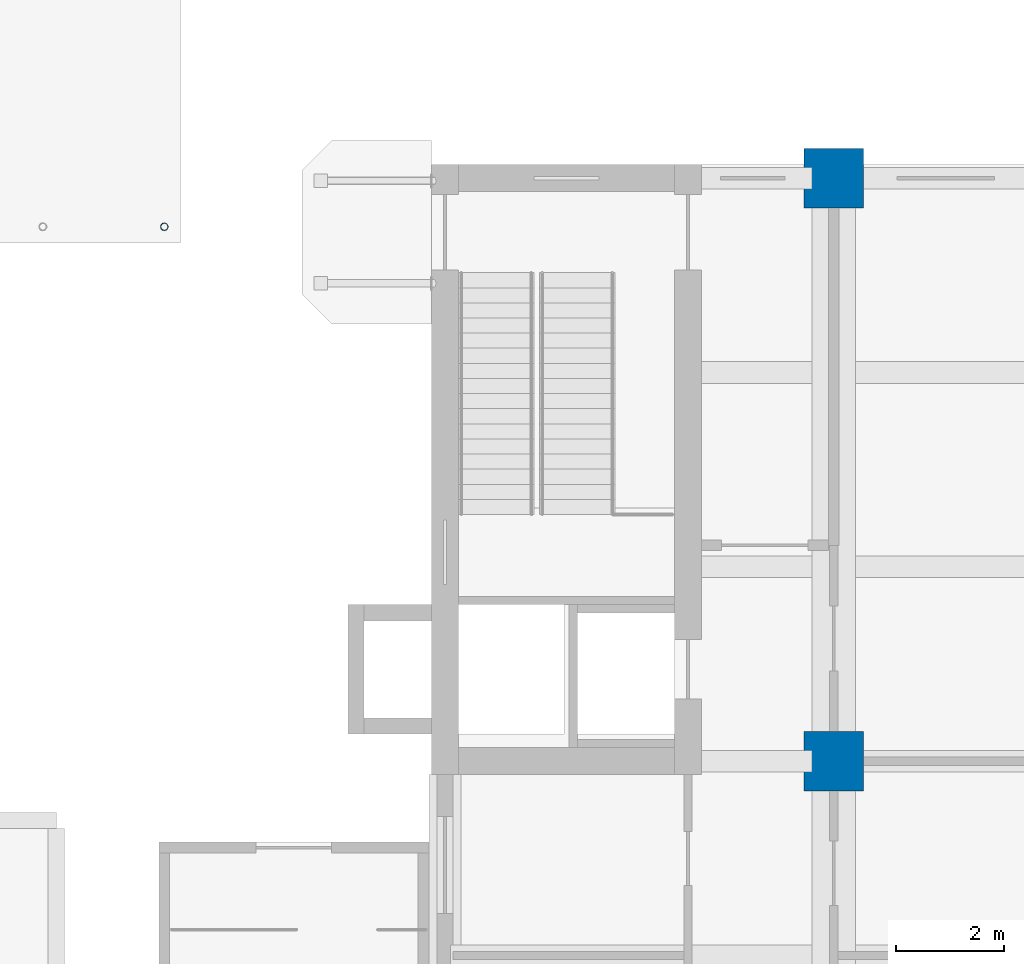
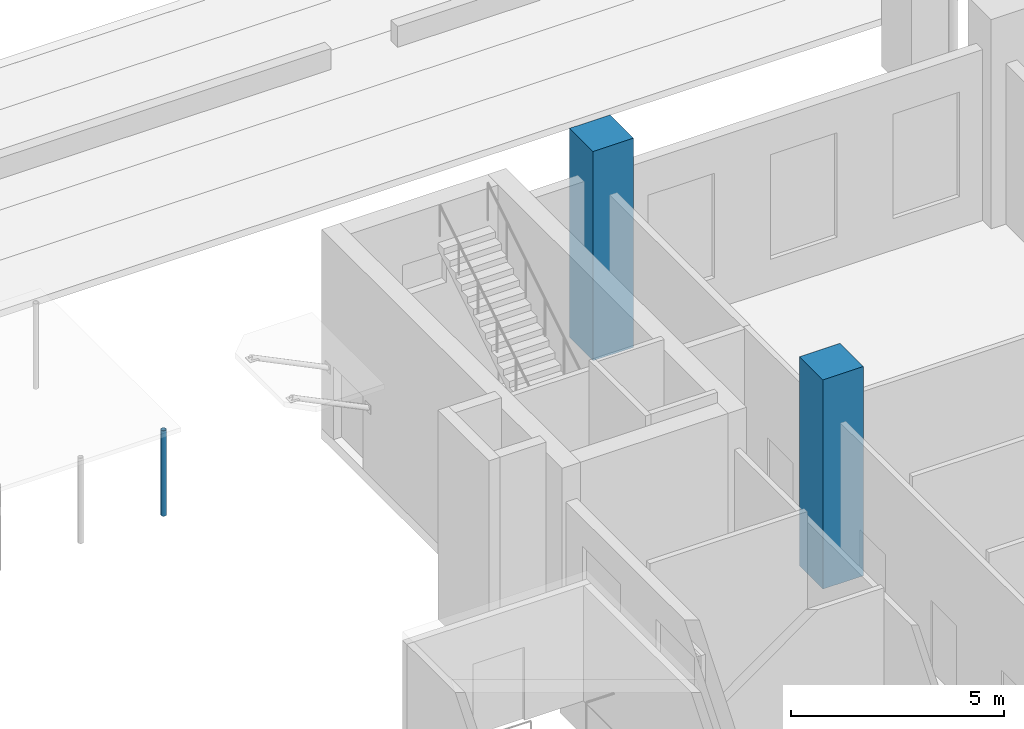
# One storey, part 10 of 71: 3 columns.
"""IFC4 building model written with IfcOpenShell, lengths in metres."""

from ifc_helpers import new_model, si_unit, direction, frame, origin, origin_2d, place, context, subcontext, project, spatial, rectangle, hollow_circle, extrude, material, material_profile, profile_set, type_object, element, save


model = new_model("IFC4")

# Units and contexts
model_context = context("Model", 3, precision=1e-05, world=origin(), true_north=direction((0.0, 1.0)))
body_context = subcontext(model_context, "Body", "Model", "MODEL_VIEW")
ifc_project = project(units=[si_unit("LENGTHUNIT", "METRE"), si_unit("AREAUNIT", "SQUARE_METRE"), si_unit("VOLUMEUNIT", "CUBIC_METRE"), si_unit("PLANEANGLEUNIT", "RADIAN"), si_unit("MASSUNIT", "GRAM", prefix="KILO")], contexts=[model_context])

# Site, building, storey
site_placement = place(None, origin())
site = spatial("IfcSite", under=ifc_project, at=site_placement, CompositionType="ELEMENT")
building_placement = place(site_placement, origin())
building = spatial("IfcBuilding", under=site, at=building_placement, Name="Basin Gate Institute", CompositionType="ELEMENT")
storey_placement = place(building_placement, origin())
storey = spatial("IfcBuildingStorey", under=building, at=storey_placement, Name="L00", CompositionType="ELEMENT", Elevation=0.0)

# Columns
ifc_material_1 = material(Name="Concrete 60 MPa", Category="concrete")
ifc_material_profile_1 = material_profile(ifc_material_1, rectangle(XDim=1.10009765625, YDim=1.10009765625, at=origin_2d()), Name="Column C1 1100 x 1100")
ifc_profile_set_1 = profile_set([ifc_material_profile_1], Name="Concrete 60 MPa")
column_type_1 = type_object("IfcColumnType", Name="Column C1 R180", PredefinedType="COLUMN", material=ifc_profile_set_1)
for number, where, z_axis, x_axis, name in (
    (1, (68.39990234375, 89.10009765625, 0.0), (0.0, 0.0, 1.0), (1.0, 0.0, 0.0), "COL/L00/5F"),
    (2, (68.39990234375, 99.89990234375, 0.0), (0.0, 0.0, 1.0), (1.0, 0.0, 0.0), "COL/L00/5G"),
):
    element("IfcColumn", number, at=place(storey_placement, frame(where, z_axis=z_axis, x_axis=x_axis)), inside=storey, type_object=column_type_1, material=ifc_profile_set_1, Name=name, PredefinedType="COLUMN", context=body_context, shape_type="SweptSolid", body=[
        extrude(rectangle(XDim=1.10009765625, YDim=1.10009765625, at=origin_2d()), origin(), (0.0, 0.0, 1.0), 6.0),
    ])
ifc_material_2 = material(Name="Structural steel SN490", Category="steel")
ifc_material_profile_2 = material_profile(ifc_material_2, hollow_circle(Radius=0.06982421875, WallThickness=0.006103515625, at=origin_2d()), Name="CHS139x6")
ifc_profile_set_2 = profile_set([ifc_material_profile_2], Name="Structural steel SN490")
column_type_2 = type_object("IfcColumnType", Name="Court steel TD4 Column column", PredefinedType="COLUMN", material=ifc_profile_set_2)
column_placement = place(storey_placement, frame((56.0, 99.0, -0.050048828125), z_axis=(0.0, 0.0, 1.0), x_axis=(1.0, 0.0, 0.0)))
element("IfcColumn", 3, at=column_placement, inside=storey, type_object=column_type_2, material=ifc_profile_set_2, Name="Laboratory Garden cycle store post", PredefinedType="COLUMN", context=body_context, shape_type="SweptSolid", body=[
    extrude(hollow_circle(Radius=0.06982421875, WallThickness=0.006103515625, at=origin_2d()), origin(), (0.0, 0.0, 1.0), 2.449951171875),
])

save(model, "model.ifc")
